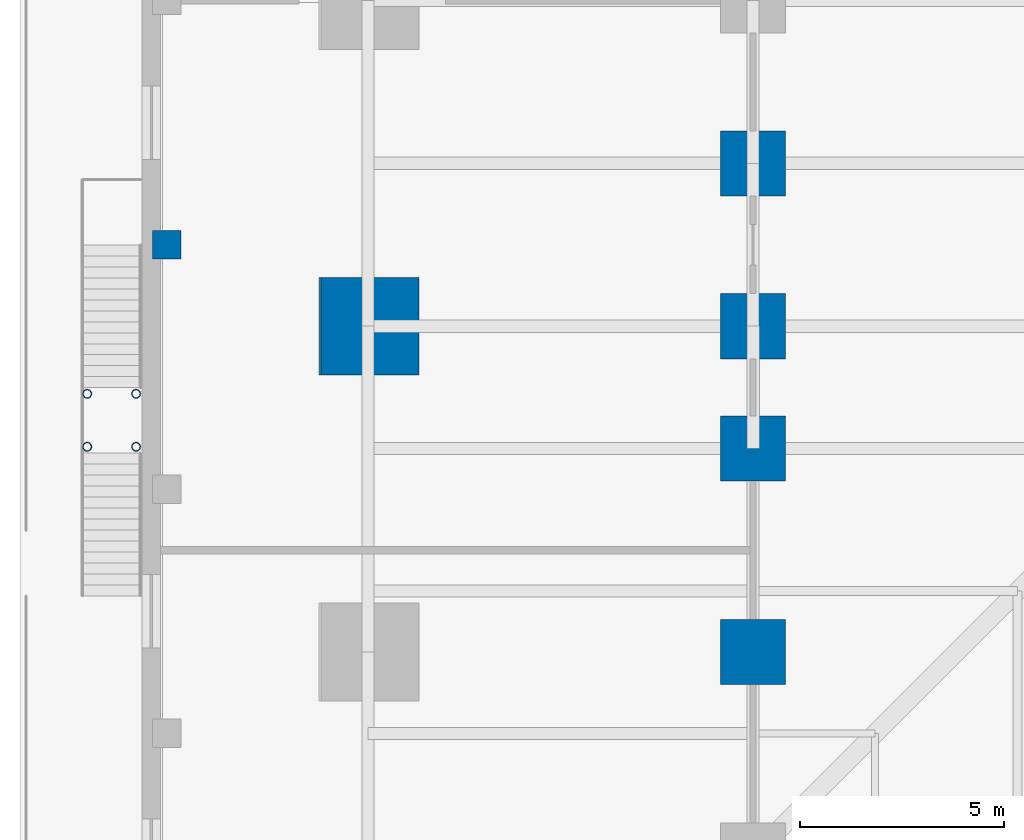
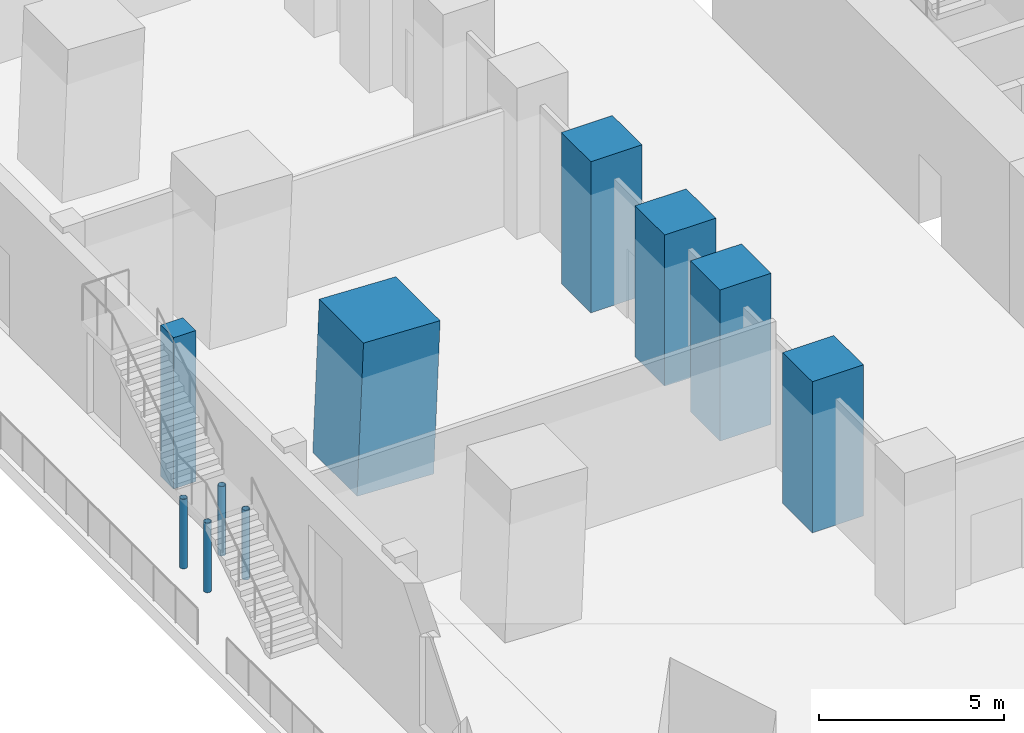
# One storey, part 2 of 20: 10 columns.
"""IFC4 building model written with IfcOpenShell, lengths in metres."""

from ifc_helpers import new_model, si_unit, direction, frame, origin, origin_2d, place, context, subcontext, project, spatial, rectangle, hollow_circle, extrude, material, material_profile, profile_set, type_object, element, save


model = new_model("IFC4")

# Units and contexts
model_context = context("Model", 3, precision=1e-05, world=origin(), true_north=direction((0.0, 1.0)))
body_context = subcontext(model_context, "Body", "Model", "MODEL_VIEW")
ifc_project = project(units=[si_unit("LENGTHUNIT", "METRE"), si_unit("AREAUNIT", "SQUARE_METRE"), si_unit("VOLUMEUNIT", "CUBIC_METRE"), si_unit("PLANEANGLEUNIT", "RADIAN"), si_unit("MASSUNIT", "GRAM", prefix="KILO")], contexts=[model_context])

# Site, building, storey
site_placement = place(None, origin())
site = spatial("IfcSite", under=ifc_project, at=site_placement, CompositionType="ELEMENT")
building_placement = place(site_placement, origin())
building = spatial("IfcBuilding", under=site, at=building_placement, Name="Peilmerk Tower", CompositionType="ELEMENT")
storey_placement = place(building_placement, frame((0.0, 0.0, 11.0)))
storey = spatial("IfcBuildingStorey", under=building, at=storey_placement, Name="L02", CompositionType="ELEMENT", Elevation=11.0)

# Columns
ifc_material_1 = material(Name="Concrete C55/67", Category="concrete")
ifc_material_profile_1 = material_profile(ifc_material_1, rectangle(XDim=0.699951171875, YDim=0.699951171875, at=origin_2d()), Name="RC 700x700")
ifc_profile_set_1 = profile_set([ifc_material_profile_1], Name="Concrete C55/67")
column_type_1 = type_object("IfcColumnType", Name="PC1 700x700 podium column", PredefinedType="COLUMN", material=ifc_profile_set_1)
column_1_placement = place(storey_placement, frame((-35.39990234375, -6.0, 0.0), z_axis=(0.0, 0.0, 1.0), x_axis=(1.0, 0.0, 0.0)))
element("IfcColumn", 1, at=column_1_placement, inside=storey, type_object=column_type_1, Name="Podium column ring A L02", PredefinedType="COLUMN", context=body_context, shape_type="SweptSolid", body=[
    extrude(rectangle(XDim=0.699951171875, YDim=0.699951171875, at=origin_2d()), origin(), (0.0, 0.0, 1.0), 5.0),
])
ifc_material_2 = material(Name="Concrete C90/105", Category="concrete")
ifc_material_profile_2 = material_profile(ifc_material_2, rectangle(XDim=2.39990234375, YDim=2.39990234375, at=origin_2d()), Name="RC 2400x2400")
ifc_profile_set_2 = profile_set([ifc_material_profile_2], Name="Concrete C90/105")
column_type_2 = type_object("IfcColumnType", Name="SC1 2400x2400 encased perimeter column", PredefinedType="COLUMN", material=ifc_profile_set_2)
column_2_placement = place(storey_placement, frame((-30.453125, -8.0, 0.0), z_axis=(0.040250558339, 0.0, 0.999189617917), x_axis=(0.0, 1.0, 0.0)))
element("IfcColumn", 2, at=column_2_placement, inside=storey, type_object=column_type_2, Name="Perimeter column W+8 L02", PredefinedType="COLUMN", context=body_context, shape_type="SweptSolid", body=[
    extrude(rectangle(XDim=2.39990234375, YDim=2.39990234375, at=origin_2d()), origin(), (0.0, 0.0, 1.0), 5.004150390625),
])
ifc_material_3 = material(Name="Steel S355", Category="steel")
ifc_material_profile_3 = material_profile(ifc_material_3, hollow_circle(Radius=0.109619140625, WallThickness=0.012451171875, at=origin_2d()), Name="CHS 219.1x12.5")
ifc_profile_set_3 = profile_set([ifc_material_profile_3], Name="Steel S355")
column_type_3 = type_object("IfcColumnType", Name="SC12 CHS 219.1x12.5 external stair post", PredefinedType="COLUMN", material=ifc_profile_set_3)
for number, where, z_axis, x_axis, name in (
    (3, (-37.35009765625, -10.9599609375, 0.0), (0.0, 0.0, 1.0), (1.0, 0.0, 0.0), "External stair 6 post L02"),
    (4, (-36.14990234375, -10.9599609375, 0.0), (0.0, 0.0, 1.0), (1.0, 0.0, 0.0), "External stair 6 post L02"),
    (5, (-37.35009765625, -9.659912109375, 0.0), (0.0, 0.0, 1.0), (1.0, 0.0, 0.0), "External stair 6 post L02"),
    (6, (-36.14990234375, -9.659912109375, 0.0), (0.0, 0.0, 1.0), (1.0, 0.0, 0.0), "External stair 6 post L02"),
):
    element("IfcColumn", number, at=place(storey_placement, frame(where, z_axis=z_axis, x_axis=x_axis)), inside=storey, type_object=column_type_3, Name=name, PredefinedType="COLUMN", context=body_context, shape_type="SweptSolid", body=[
        extrude(hollow_circle(Radius=0.109619140625, WallThickness=0.012451171875, at=origin_2d()), origin(), (0.0, 0.0, 1.0), 2.300048828125),
    ])
ifc_material_profile_4 = material_profile(ifc_material_2, rectangle(XDim=1.60009765625, YDim=1.60009765625, at=origin_2d()), Name="RC 1600x1600")
ifc_profile_set_4 = profile_set([ifc_material_profile_4], Name="Concrete C90/105")
column_type_4 = type_object("IfcColumnType", Name="SC2 1600x1600 encased interior column", PredefinedType="COLUMN", material=ifc_profile_set_4)
for number, where, z_axis, x_axis, name in (
    (7, (-21.0, -4.0, 0.0), (0.0, 0.0, 1.0), (1.0, 0.0, 0.0), "Interior column W+4 L02"),
    (8, (-21.0, -8.0, 0.0), (0.0, 0.0, 1.0), (1.0, 0.0, 0.0), "Interior column W+8 L02"),
    (9, (-21.0, -11.0, 0.0), (0.0, 0.0, 1.0), (1.0, 0.0, 0.0), "Interior column W+11 L02"),
    (10, (-21.0, -16.0, 0.0), (0.0, 0.0, 1.0), (1.0, 0.0, 0.0), "Interior column W+16 L02"),
):
    element("IfcColumn", number, at=place(storey_placement, frame(where, z_axis=z_axis, x_axis=x_axis)), inside=storey, type_object=column_type_4, Name=name, PredefinedType="COLUMN", context=body_context, shape_type="SweptSolid", body=[
        extrude(rectangle(XDim=1.60009765625, YDim=1.60009765625, at=origin_2d()), origin(), (0.0, 0.0, 1.0), 5.0),
    ])

save(model, "model.ifc")
